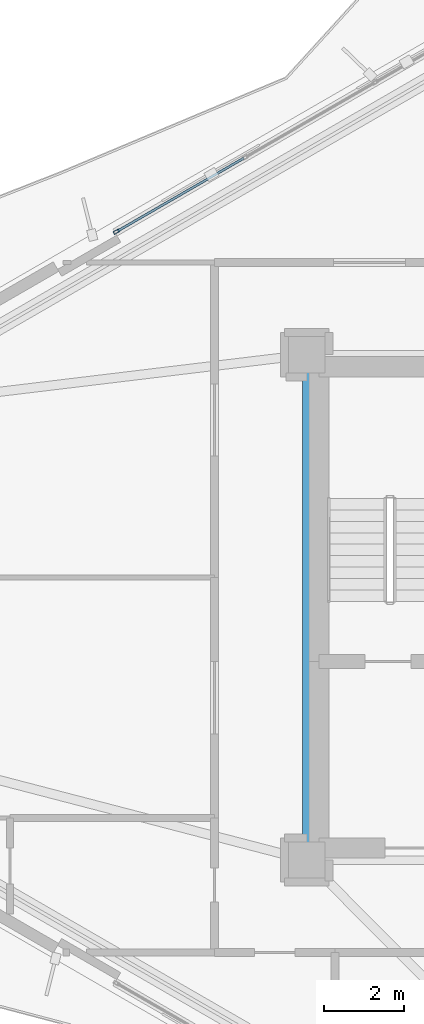
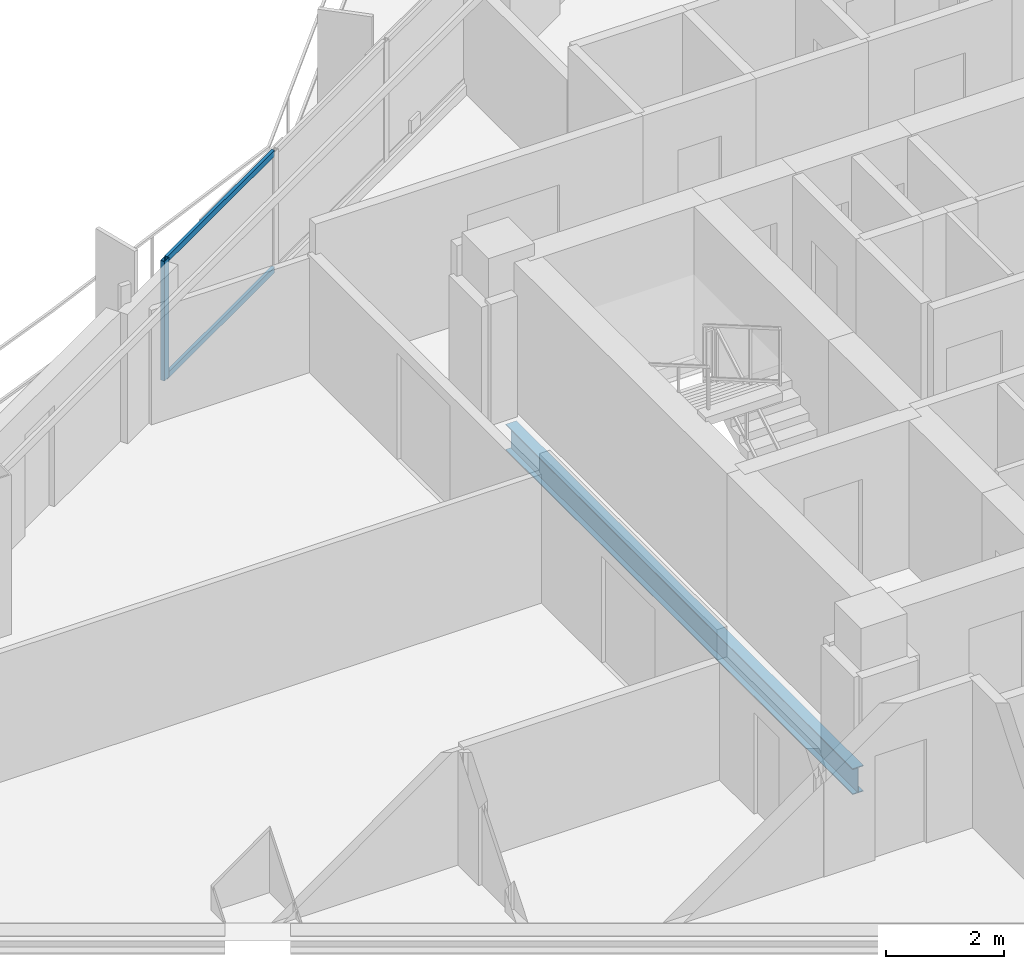
# One storey, part 6 of 22: 3 members, 1 beam, 1 element without a shape of its own.
"""IFC4 building model written with IfcOpenShell, lengths in metres."""

import ifcopenshell
import ifcopenshell.guid

model = None  # the IFC model being written
_history = None  # IfcOwnerHistory: only IFC2X3 demands one
_inside = {}  # id of a spatial element -> (the spatial element, [elements in it])
_under = {}  # id of a project, library or spatial element -> (it, [spatial elements below it])
_declared = {}  # id of a project -> (the project, [libraries it declares])
_typed = {}  # id of a type object -> (the type object, [elements of that type])
_made_of = {}  # id of a material, layer set ... -> (it, [elements and type objects made of it])


def new_model(schema):
    """Start an empty IFC model of exactly this schema.

    Asked for "IFC4X3", IfcOpenShell would pick the latest addendum, in which some entities
    have other attributes; the version numbers below select the first issue.
    IFC2X3 requires an IfcOwnerHistory on every rooted entity: one is made here for all.
    """
    global model, _history
    if schema == "IFC4X3":
        model = ifcopenshell.file(schema_version=(4, 3, 0, 0))
    else:
        model = ifcopenshell.file(schema=schema)
    _inside.clear()
    _under.clear()
    _declared.clear()
    _typed.clear()
    _made_of.clear()
    _history = None
    if model.schema == "IFC2X3":
        org = make("IfcOrganization", Name="unknown")
        user = make(
            "IfcPersonAndOrganization",
            ThePerson=make("IfcPerson", FamilyName="unknown"),
            TheOrganization=org,
        )
        app = make(
            "IfcApplication",
            ApplicationDeveloper=org,
            Version="unknown",
            ApplicationFullName="unknown",
            ApplicationIdentifier="unknown",
        )
        _history = make(
            "IfcOwnerHistory",
            OwningUser=user,
            OwningApplication=app,
            ChangeAction="ADDED",
            CreationDate=0,
        )
    return model


def make(cls, **values):
    """One entity of the class cls with the attributes given. An attribute that is None is left unset."""
    return model.create_entity(
        cls, **{name: value for name, value in values.items() if value is not None}
    )


def rooted(cls, **values):
    """An entity with a GlobalId (a new one), such as an element, a storey or a relation."""
    return make(cls, GlobalId=ifcopenshell.guid.new(), OwnerHistory=_history, **values)


def si_unit(unit_type, name, prefix=None):
    """IfcSIUnit, for example si_unit("LENGTHUNIT", "METRE", prefix="MILLI")."""
    return make("IfcSIUnit", UnitType=unit_type, Prefix=prefix, Name=name)


def assignment(units):
    """IfcUnitAssignment: the units of a project."""
    return None if units is None else make("IfcUnitAssignment", Units=units)


def point(xyz):
    """IfcCartesianPoint."""
    return None if xyz is None else make("IfcCartesianPoint", Coordinates=xyz)


def direction(xyz):
    """IfcDirection."""
    return None if xyz is None else make("IfcDirection", DirectionRatios=xyz)


def frame(location, z_axis=None, x_axis=None):
    """IfcAxis2Placement3D, a coordinate frame: its origin and axes. An axis left out is left unset."""
    return make(
        "IfcAxis2Placement3D",
        Location=point(location),
        Axis=direction(z_axis),
        RefDirection=direction(x_axis),
    )


def frame_2d(location, x_axis=None):
    """IfcAxis2Placement2D, a coordinate frame in the plane: its origin and x axis."""
    return make(
        "IfcAxis2Placement2D", Location=point(location), RefDirection=direction(x_axis)
    )


def origin():
    """The frame at (0, 0, 0) with its axes left unset."""
    return frame((0.0, 0.0, 0.0))


def origin_2d():
    """The frame at (0, 0) in the plane with its x axis left unset."""
    return frame_2d((0.0, 0.0))


def place(relative_to, where):
    """IfcLocalPlacement: puts the frame where relative to a parent placement (None: the world)."""
    return make(
        "IfcLocalPlacement", PlacementRelTo=relative_to, RelativePlacement=where
    )


def context(
    kind, dimensions, precision=None, world=None, true_north=None, identifier=None
):
    """IfcGeometricRepresentationContext, for example the 3D "Model" context."""
    return make(
        "IfcGeometricRepresentationContext",
        ContextIdentifier=identifier,
        ContextType=kind,
        CoordinateSpaceDimension=dimensions,
        Precision=precision,
        WorldCoordinateSystem=world,
        TrueNorth=true_north,
    )


def subcontext(parent, identifier, kind, view, scale=None):
    """IfcGeometricRepresentationSubContext, for example "Body" below "Model"."""
    return make(
        "IfcGeometricRepresentationSubContext",
        ContextIdentifier=identifier,
        ContextType=kind,
        ParentContext=parent,
        TargetScale=scale,
        TargetView=view,
    )


def project(units=None, contexts=None):
    """IfcProject with its units and contexts."""
    return rooted(
        "IfcProject",
        Name="project",
        RepresentationContexts=contexts,
        UnitsInContext=assignment(units),
    )


def spatial(cls, under=None, at=None, **own):
    """A site, building, storey or space (cls), placed at a placement, below another one or the project."""
    s = rooted(cls, ObjectPlacement=at, **own)
    if under is not None:
        _under.setdefault(under.id(), (under, []))[1].append(s)
    return s


def profile(cls, at=None, kind="AREA", **sizes):
    """A parametric profile (cls). Its sizes go by their IFC names, for example OverallWidth=200.0."""
    return make(cls, ProfileType=kind, Position=at, **sizes)


def hollow_rectangle(**sizes):
    """IfcRectangleHollowProfileDef."""
    return profile("IfcRectangleHollowProfileDef", **sizes)


def i_section(**sizes):
    """IfcIShapeProfileDef."""
    return profile("IfcIShapeProfileDef", **sizes)


def extrude(swept, where, along, depth):
    """IfcExtrudedAreaSolid: the profile swept, set in the frame where, extruded along a direction by depth."""
    return make(
        "IfcExtrudedAreaSolid",
        SweptArea=swept,
        Position=where,
        ExtrudedDirection=direction(along),
        Depth=depth,
    )


def shape(context_of_items, identifier, shape_type, items):
    """IfcShapeRepresentation: the items that make up one representation, for example the "Body"."""
    return make(
        "IfcShapeRepresentation",
        ContextOfItems=context_of_items,
        RepresentationIdentifier=identifier,
        RepresentationType=shape_type,
        Items=items,
    )


def material(Name=None, Category=None):
    """IfcMaterial."""
    return make("IfcMaterial", Name=Name, Category=Category)


def layer(
    of_material, thickness, ventilated=None, Name=None, Category=None, Priority=None
):
    """IfcMaterialLayer: one layer of a wall or slab, of a material (None: an air gap)."""
    return make(
        "IfcMaterialLayer",
        Material=of_material,
        LayerThickness=thickness,
        IsVentilated=ventilated,
        Name=Name,
        Category=Category,
        Priority=Priority,
    )


def layer_set(layers, Name=None):
    """IfcMaterialLayerSet."""
    return make("IfcMaterialLayerSet", MaterialLayers=layers, LayerSetName=Name)


def material_profile(
    of_material, cross_section, Name=None, Category=None, Priority=None
):
    """IfcMaterialProfile: a cross section and its material."""
    return make(
        "IfcMaterialProfile",
        Name=Name,
        Material=of_material,
        Profile=cross_section,
        Priority=Priority,
        Category=Category,
    )


def profile_set(profiles, Name=None, composite=None):
    """IfcMaterialProfileSet."""
    return make(
        "IfcMaterialProfileSet",
        Name=Name,
        MaterialProfiles=profiles,
        CompositeProfile=composite,
    )


def made_of(thing, what):
    """Note that an element or type object is made of a material, layer set ...; save() writes the relation."""
    if what is not None:
        _made_of.setdefault(what.id(), (what, []))[1].append(thing)
    return thing


def type_object(cls, material=None, **own):
    """A type object (cls), such as IfcWallType, which elements share."""
    return made_of(rooted(cls, **own), material)


def element(
    cls,
    number,
    at=None,
    inside=None,
    cuts=None,
    type_object=None,
    material=None,
    context=None,
    identifier="Body",
    shape_type=None,
    held_by="IfcProductDefinitionShape",
    body=None,
    shapes=None,
    **own,
):
    """One element of the class cls, such as IfcWall. Its Tag is "e" and its number.

    at: its placement. inside: the storey or other place that contains it. cuts: it is an
    opening in that element (IfcRelVoidsElement). A single representation is given by context,
    identifier, shape_type and body (its items); several are given by shapes. held_by: the class
    of the entity that holds the representations. save() writes the other relations.
    """
    e = rooted(cls, Tag="e%d" % number, ObjectPlacement=at, **own)
    if body is not None:
        shapes = [shape(context, identifier, shape_type, body)]
    if shapes is not None:
        e.Representation = make(held_by, Representations=shapes)
    if inside is not None:
        _inside.setdefault(inside.id(), (inside, []))[1].append(e)
    if cuts is not None:
        rooted(
            "IfcRelVoidsElement", RelatingBuildingElement=cuts, RelatedOpeningElement=e
        )
    if type_object is not None:
        _typed.setdefault(type_object.id(), (type_object, []))[1].append(e)
    return made_of(e, material)


def aggregate(whole, parts):
    """IfcRelAggregates: a whole, such as a stair, and the parts it consists of."""
    return rooted("IfcRelAggregates", RelatingObject=whole, RelatedObjects=parts)


def save(model, path):
    """Write the relations noted so far, then the file.

    IfcRelAggregates (storeys below a building ...), IfcRelContainedInSpatialStructure (elements
    in a storey), IfcRelDefinesByType, IfcRelAssociatesMaterial and IfcRelDeclares: one each for
    every whole, place, type object, material and project.
    """
    for whole, parts in _under.values():
        aggregate(whole, parts)
    for where, things in _inside.values():
        rooted(
            "IfcRelContainedInSpatialStructure",
            RelatedElements=things,
            RelatingStructure=where,
        )
    for kind, things in _typed.values():
        rooted("IfcRelDefinesByType", RelatedObjects=things, RelatingType=kind)
    for what, things in _made_of.values():
        rooted("IfcRelAssociatesMaterial", RelatedObjects=things, RelatingMaterial=what)
    for by, libraries in _declared.values():
        rooted("IfcRelDeclares", RelatingContext=by, RelatedDefinitions=libraries)
    model.write(path)


model = new_model("IFC4")

# Units and contexts
model_context = context("Model", 3, precision=1e-05, world=origin(), true_north=direction((0.0, 1.0)))
body_context = subcontext(model_context, "Body", "Model", "MODEL_VIEW")
ifc_project = project(units=[si_unit("LENGTHUNIT", "METRE"), si_unit("AREAUNIT", "SQUARE_METRE"), si_unit("VOLUMEUNIT", "CUBIC_METRE"), si_unit("PLANEANGLEUNIT", "RADIAN"), si_unit("MASSUNIT", "GRAM", prefix="KILO")], contexts=[model_context])

# Site, building, storey
site_placement = place(None, origin())
site = spatial("IfcSite", under=ifc_project, at=site_placement, CompositionType="ELEMENT")
building_placement = place(site_placement, origin())
building = spatial("IfcBuilding", under=site, at=building_placement, Name="Mersakhor Tower and Convention Hall", CompositionType="ELEMENT")
storey_placement = place(building_placement, frame((0.0, 0.0, 83.39990234375)))
storey = spatial("IfcBuildingStorey", under=building, at=storey_placement, Name="L22", CompositionType="ELEMENT", Elevation=83.39990234375)

# Beam
ifc_material_1 = material(Name="Steel S355", Category="steel")
ifc_material_profile_1 = material_profile(ifc_material_1, i_section(OverallWidth=0.2099609375, OverallDepth=0.53662109375, WebThickness=0.0107421875, FlangeThickness=0.017333984375, at=origin_2d()), Name="UB 533x210x101")
ifc_profile_set_1 = profile_set([ifc_material_profile_1], Name="Steel S355")
beam_type = type_object("IfcBeamType", Name="BM-FB-533", PredefinedType="BEAM", material=ifc_profile_set_1)
beam_placement = place(storey_placement, frame((21.89990234375, 20.8798828125, -0.518310546875), z_axis=(0.0, 1.0, 0.0), x_axis=(-1.0, 0.0, 0.0)))
element("IfcBeam", 1, at=beam_placement, inside=storey, type_object=beam_type, Name="L22 Core Ring Tie Beam CRB-1", PredefinedType="BEAM", context=body_context, shape_type="SweptSolid", body=[
    extrude(i_section(OverallWidth=0.2099609375, OverallDepth=0.53662109375, WebThickness=0.0107421875, FlangeThickness=0.017333984375, at=origin_2d()), origin(), (0.0, 0.0, 1.0), 11.740234375),
])

# Curtain wall, members
ifc_material_2 = material(Name="Dark solar low-E aluminium curtain wall", Category="aluminium")
ifc_layer = layer(ifc_material_2, 0.159912109375)
ifc_layer_set = layer_set([ifc_layer], Name="Dark solar low-E aluminium curtain wall")
curtain_wall_type = type_object("IfcCurtainWallType", Name="CW-SYS-01", PredefinedType="USERDEFINED", material=ifc_layer_set)
curtain_wall_placement = place(storey_placement, origin())
curtain_wall = element("IfcCurtainWall", 2, at=curtain_wall_placement, inside=storey, type_object=curtain_wall_type, Name="L22 Dark-Glass Curtain Wall F1-B2", ObjectType="CURTAIN WALL", PredefinedType="USERDEFINED")
ifc_material_3 = material(Name="Anodised aluminium EN AW-6063 T6", Category="aluminium")
ifc_material_profile_2 = material_profile(ifc_material_3, hollow_rectangle(XDim=0.074951171875, YDim=0.14990234375, WallThickness=0.00634765625, at=origin_2d()), Name="RHS 150x75x6.3")
ifc_profile_set_2 = profile_set([ifc_material_profile_2], Name="Anodised aluminium EN AW-6063 T6")
member_type_1 = type_object("IfcMemberType", Name="CWM-150x75", PredefinedType="MULLION", material=ifc_profile_set_2)
member_1_placement = place(storey_placement, frame((17.152587890625, 36.11572265625, 0.2001953125), z_axis=(0.0, 0.0, 1.0), x_axis=(-0.499997904985, 0.866026613339, 0.0)))
member_1 = element("IfcMember", 3, at=member_1_placement, type_object=member_type_1, Name="CW-01 mullion 1", PredefinedType="MULLION", context=body_context, shape_type="SweptSolid", body=[
    extrude(hollow_rectangle(XDim=0.074951171875, YDim=0.14990234375, WallThickness=0.00634765625, at=origin_2d()), origin(), (0.0, 0.0, 1.0), 2.469970703125),
])
ifc_material_4 = material(Name="Anodised aluminium EN AW-6063 T6", Category="aluminium")
ifc_material_profile_3 = material_profile(ifc_material_4, hollow_rectangle(XDim=0.06005859375, YDim=0.1201171875, WallThickness=0.0048828125, at=origin_2d()), Name="RHS 120x60x5")
ifc_profile_set_3 = profile_set([ifc_material_profile_3], Name="Anodised aluminium EN AW-6063 T6")
member_type_2 = type_object("IfcMemberType", Name="CWT-120x60", PredefinedType="USERDEFINED", material=ifc_profile_set_3)
member_2_placement = place(storey_placement, frame((17.18505859375, 36.134521484375, 0.22998046875), z_axis=(0.866045614266, 0.499964992784, 0.0), x_axis=(-0.499964992784, 0.866045614266, 0.0)))
member_2 = element("IfcMember", 4, at=member_2_placement, type_object=member_type_2, Name="CW-01 transom 1.1", ObjectType="TRANSOM", PredefinedType="USERDEFINED", context=body_context, shape_type="SweptSolid", body=[
    extrude(hollow_rectangle(XDim=0.06005859375, YDim=0.1201171875, WallThickness=0.0048828125, at=origin_2d()), origin(), (0.0, 0.0, 1.0), 3.630615234375),
])
member_3_placement = place(storey_placement, frame((17.18505859375, 36.134521484375, 2.64013671875), z_axis=(0.866045614266, 0.499964992784, 0.0), x_axis=(-0.499964992784, 0.866045614266, 0.0)))
member_3 = element("IfcMember", 5, at=member_3_placement, type_object=member_type_2, Name="CW-01 transom 1.2", ObjectType="TRANSOM", PredefinedType="USERDEFINED", context=body_context, shape_type="SweptSolid", body=[
    extrude(hollow_rectangle(XDim=0.06005859375, YDim=0.1201171875, WallThickness=0.0048828125, at=origin_2d()), origin(), (0.0, 0.0, 1.0), 3.630615234375),
])
aggregate(curtain_wall, [member_1, member_2, member_3])

save(model, "model.ifc")
